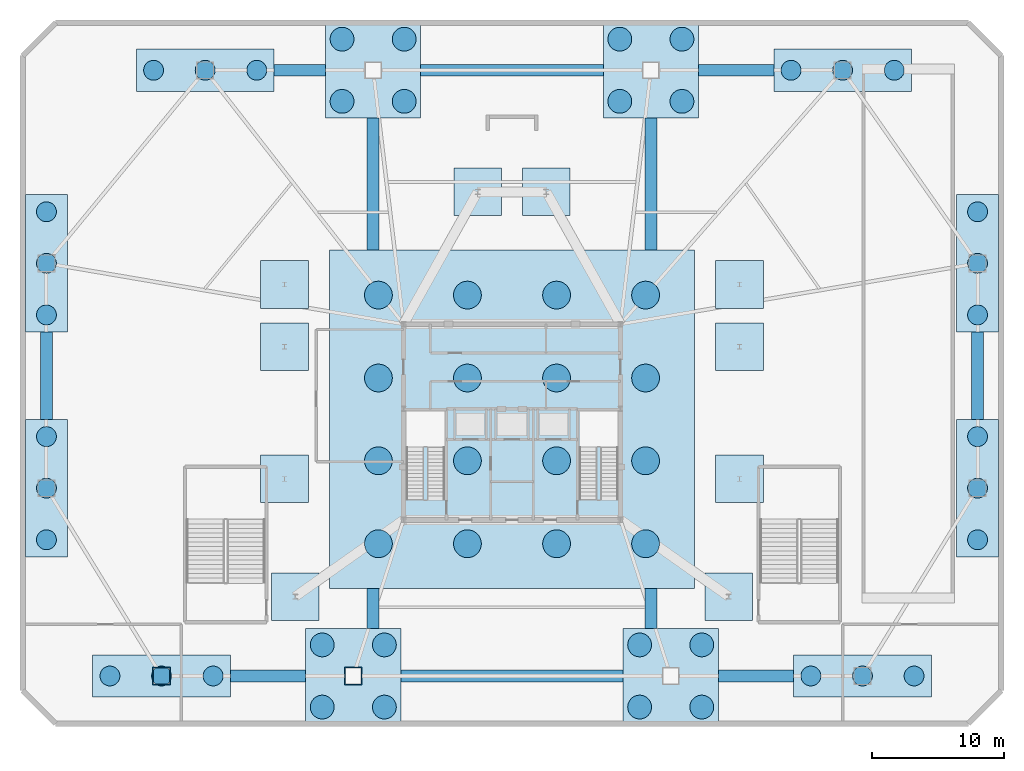
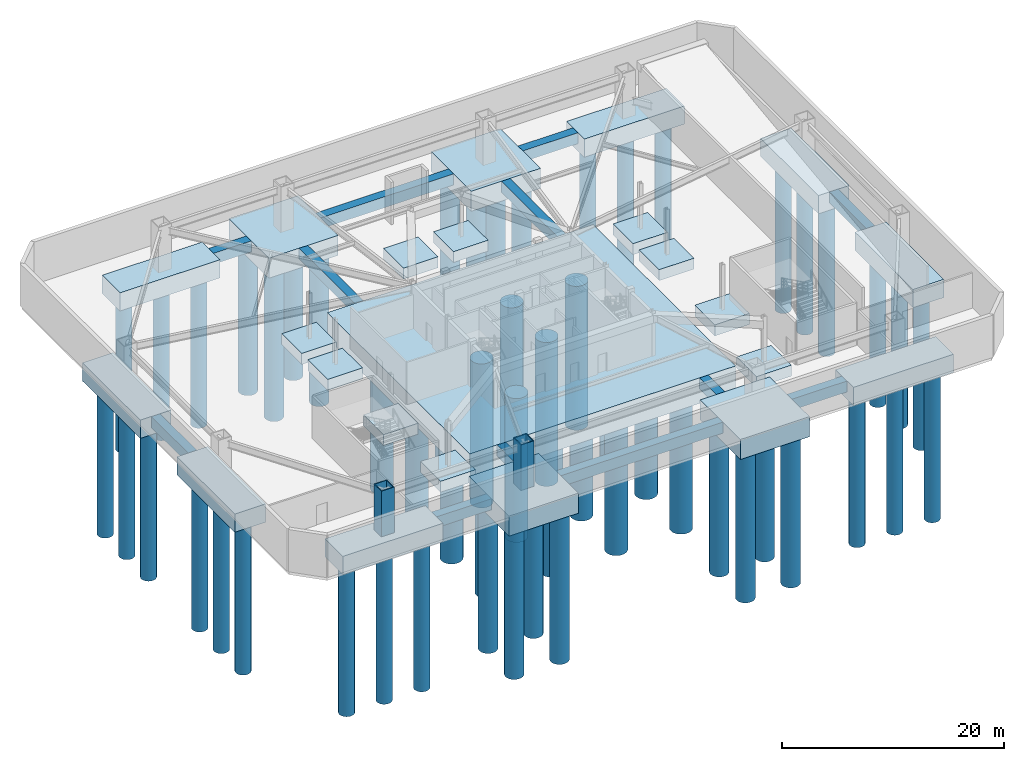
# One storey, part 1 of 12: 56 piles, 35 footings, 2 columns.
"""IFC4 building model written with IfcOpenShell, lengths in metres."""

from ifc_helpers import new_model, si_unit, direction, frame, origin, origin_2d, place, context, subcontext, project, spatial, polyline, hollow_rectangle, circle, outline, extrude, material, layer, layer_set, material_profile, profile_set, type_object, element, save


model = new_model("IFC4")

# Units and contexts
model_context = context("Model", 3, precision=1e-05, world=origin(), true_north=direction((0.0, 1.0)))
body_context = subcontext(model_context, "Body", "Model", "MODEL_VIEW")
ifc_project = project(units=[si_unit("LENGTHUNIT", "METRE"), si_unit("AREAUNIT", "SQUARE_METRE"), si_unit("VOLUMEUNIT", "CUBIC_METRE"), si_unit("PLANEANGLEUNIT", "RADIAN"), si_unit("MASSUNIT", "GRAM", prefix="KILO")], contexts=[model_context])

# Site, building, storey
site_placement = place(None, origin())
site = spatial("IfcSite", under=ifc_project, at=site_placement, CompositionType="ELEMENT")
building_placement = place(site_placement, origin())
building = spatial("IfcBuilding", under=site, at=building_placement, Name="Varakhsha Concourse Tower", CompositionType="ELEMENT")
storey_placement = place(building_placement, frame((0.0, 0.0, -10.0)))
storey = spatial("IfcBuildingStorey", under=building, at=storey_placement, Name="B02", CompositionType="ELEMENT", Elevation=-10.0)

# Footings
ifc_material_1 = material(Name="Concrete fc 65 MPa", Category="concrete")
ifc_layer_1 = layer(ifc_material_1, 2.0, Name="FT-CAP-10400X3200")
ifc_layer_set_1 = layer_set([ifc_layer_1], Name="Concrete fc 65 MPa")
footing_type_1 = type_object("IfcFootingType", Name="FT-CAP-10400X3200", PredefinedType="PILE_CAP", material=ifc_layer_set_1)
footing_1_placement = place(storey_placement, frame((0.0, 0.0, -2.0)))
element("IfcFooting", 1, at=footing_1_placement, inside=storey, type_object=footing_type_1, Name="Perimeter Stilt Pile Cap PC-S1", PredefinedType="PILE_CAP", context=body_context, shape_type="SweptSolid", body=[
    extrude(outline(polyline([(8.300048828125, 3.0), (18.699951171875, 3.0), (18.699951171875, 6.199951171875), (8.300048828125, 6.199951171875), (8.300048828125, 3.0)])), origin(), (0.0, 0.0, 1.0), 2.0),
])
footing_2_placement = place(storey_placement, frame((0.0, 0.0, -2.0)))
element("IfcFooting", 2, at=footing_2_placement, inside=storey, type_object=footing_type_1, Name="Perimeter Stilt Pile Cap PC-S4", PredefinedType="PILE_CAP", context=body_context, shape_type="SweptSolid", body=[
    extrude(outline(polyline([(61.300048828125, 3.0), (71.699951171875, 3.0), (71.699951171875, 6.199951171875), (61.300048828125, 6.199951171875), (61.300048828125, 3.0)])), origin(), (0.0, 0.0, 1.0), 2.0),
])
footing_3_placement = place(storey_placement, frame((0.0, 0.0, -2.0)))
element("IfcFooting", 3, at=footing_3_placement, inside=storey, type_object=footing_type_1, Name="Perimeter Stilt Pile Cap PC-N1", PredefinedType="PILE_CAP", context=body_context, shape_type="SweptSolid", body=[
    extrude(outline(polyline([(11.60009765625, 48.800048828125), (22.0, 48.800048828125), (22.0, 52.0), (11.60009765625, 52.0), (11.60009765625, 48.800048828125)])), origin(), (0.0, 0.0, 1.0), 2.0),
])
footing_4_placement = place(storey_placement, frame((0.0, 0.0, -2.0)))
element("IfcFooting", 4, at=footing_4_placement, inside=storey, type_object=footing_type_1, Name="Perimeter Stilt Pile Cap PC-N4", PredefinedType="PILE_CAP", context=body_context, shape_type="SweptSolid", body=[
    extrude(outline(polyline([(59.800048828125, 48.800048828125), (70.199951171875, 48.800048828125), (70.199951171875, 52.0), (59.800048828125, 52.0), (59.800048828125, 48.800048828125)])), origin(), (0.0, 0.0, 1.0), 2.0),
])
ifc_layer_2 = layer(ifc_material_1, 2.0, Name="FT-CAP-3200X10400")
ifc_layer_set_2 = layer_set([ifc_layer_2], Name="Concrete fc 65 MPa")
footing_type_2 = type_object("IfcFootingType", Name="FT-CAP-3200X10400", PredefinedType="PILE_CAP", material=ifc_layer_set_2)
footing_5_placement = place(storey_placement, frame((0.0, 0.0, -2.0)))
element("IfcFooting", 5, at=footing_5_placement, inside=storey, type_object=footing_type_2, Name="Perimeter Stilt Pile Cap PC-W1", PredefinedType="PILE_CAP", context=body_context, shape_type="SweptSolid", body=[
    extrude(outline(polyline([(3.199951171875, 13.60009765625), (6.39990234375, 13.60009765625), (6.39990234375, 24.0), (3.199951171875, 24.0), (3.199951171875, 13.60009765625)])), origin(), (0.0, 0.0, 1.0), 2.0),
])
footing_6_placement = place(storey_placement, frame((0.0, 0.0, -2.0)))
element("IfcFooting", 6, at=footing_6_placement, inside=storey, type_object=footing_type_2, Name="Perimeter Stilt Pile Cap PC-W2", PredefinedType="PILE_CAP", context=body_context, shape_type="SweptSolid", body=[
    extrude(outline(polyline([(3.199951171875, 30.60009765625), (6.39990234375, 30.60009765625), (6.39990234375, 41.0), (3.199951171875, 41.0), (3.199951171875, 30.60009765625)])), origin(), (0.0, 0.0, 1.0), 2.0),
])
footing_7_placement = place(storey_placement, frame((0.0, 0.0, -2.0)))
element("IfcFooting", 7, at=footing_7_placement, inside=storey, type_object=footing_type_2, Name="Perimeter Stilt Pile Cap PC-E1", PredefinedType="PILE_CAP", context=body_context, shape_type="SweptSolid", body=[
    extrude(outline(polyline([(73.60009765625, 13.60009765625), (76.800048828125, 13.60009765625), (76.800048828125, 24.0), (73.60009765625, 24.0), (73.60009765625, 13.60009765625)])), origin(), (0.0, 0.0, 1.0), 2.0),
])
footing_8_placement = place(storey_placement, frame((0.0, 0.0, -2.0)))
element("IfcFooting", 8, at=footing_8_placement, inside=storey, type_object=footing_type_2, Name="Perimeter Stilt Pile Cap PC-E2", PredefinedType="PILE_CAP", context=body_context, shape_type="SweptSolid", body=[
    extrude(outline(polyline([(73.60009765625, 30.60009765625), (76.800048828125, 30.60009765625), (76.800048828125, 41.0), (73.60009765625, 41.0), (73.60009765625, 30.60009765625)])), origin(), (0.0, 0.0, 1.0), 2.0),
])
ifc_layer_3 = layer(ifc_material_1, 2.199951171875, Name="FT-CAP-7200")
ifc_layer_set_3 = layer_set([ifc_layer_3], Name="Concrete fc 65 MPa")
footing_type_3 = type_object("IfcFootingType", Name="FT-CAP-7200", PredefinedType="PILE_CAP", material=ifc_layer_set_3)
footing_9_placement = place(storey_placement, frame((0.0, 0.0, -2.199951171875)))
element("IfcFooting", 9, at=footing_9_placement, inside=storey, type_object=footing_type_3, Name="Perimeter Stilt Pile Cap PC-S2", PredefinedType="PILE_CAP", context=body_context, shape_type="SweptSolid", body=[
    extrude(outline(polyline([(24.39990234375, 1.0), (31.60009765625, 1.0), (31.60009765625, 8.199951171875), (24.39990234375, 8.199951171875), (24.39990234375, 1.0)])), origin(), (0.0, 0.0, 1.0), 2.199951171875),
])
footing_10_placement = place(storey_placement, frame((0.0, 0.0, -2.199951171875)))
element("IfcFooting", 10, at=footing_10_placement, inside=storey, type_object=footing_type_3, Name="Perimeter Stilt Pile Cap PC-S3", PredefinedType="PILE_CAP", context=body_context, shape_type="SweptSolid", body=[
    extrude(outline(polyline([(48.39990234375, 1.0), (55.60009765625, 1.0), (55.60009765625, 8.199951171875), (48.39990234375, 8.199951171875), (48.39990234375, 1.0)])), origin(), (0.0, 0.0, 1.0), 2.199951171875),
])
footing_11_placement = place(storey_placement, frame((0.0, 0.0, -2.199951171875)))
element("IfcFooting", 11, at=footing_11_placement, inside=storey, type_object=footing_type_3, Name="Perimeter Stilt Pile Cap PC-N2", PredefinedType="PILE_CAP", context=body_context, shape_type="SweptSolid", body=[
    extrude(outline(polyline([(25.89990234375, 46.800048828125), (33.10009765625, 46.800048828125), (33.10009765625, 54.0), (25.89990234375, 54.0), (25.89990234375, 46.800048828125)])), origin(), (0.0, 0.0, 1.0), 2.199951171875),
])
footing_12_placement = place(storey_placement, frame((0.0, 0.0, -2.199951171875)))
element("IfcFooting", 12, at=footing_12_placement, inside=storey, type_object=footing_type_3, Name="Perimeter Stilt Pile Cap PC-N3", PredefinedType="PILE_CAP", context=body_context, shape_type="SweptSolid", body=[
    extrude(outline(polyline([(46.89990234375, 46.800048828125), (54.10009765625, 46.800048828125), (54.10009765625, 54.0), (46.89990234375, 54.0), (46.89990234375, 46.800048828125)])), origin(), (0.0, 0.0, 1.0), 2.199951171875),
])
ifc_layer_4 = layer(ifc_material_1, 1.199951171875, Name="FT-GB-900X1200")
ifc_layer_set_4 = layer_set([ifc_layer_4], Name="Concrete fc 65 MPa")
footing_type_4 = type_object("IfcFootingType", Name="FT-GB-900X1200", PredefinedType="FOOTING_BEAM", material=ifc_layer_set_4)
footing_13_placement = place(storey_placement, frame((0.0, 0.0, -1.199951171875)))
element("IfcFooting", 13, at=footing_13_placement, inside=storey, type_object=footing_type_4, Name="Continuous Tie Grade Beam GB-S12", PredefinedType="FOOTING_BEAM", context=body_context, shape_type="SweptSolid", body=[
    extrude(outline(polyline([(18.699951171875, 4.14990234375), (24.39990234375, 4.14990234375), (24.39990234375, 5.050048828125), (18.699951171875, 5.050048828125), (18.699951171875, 4.14990234375)])), origin(), (0.0, 0.0, 1.0), 1.199951171875),
])
footing_14_placement = place(storey_placement, frame((0.0, 0.0, -1.199951171875)))
element("IfcFooting", 14, at=footing_14_placement, inside=storey, type_object=footing_type_4, Name="Continuous Tie Grade Beam GB-S23", PredefinedType="FOOTING_BEAM", context=body_context, shape_type="SweptSolid", body=[
    extrude(outline(polyline([(31.60009765625, 4.14990234375), (48.39990234375, 4.14990234375), (48.39990234375, 5.050048828125), (31.60009765625, 5.050048828125), (31.60009765625, 4.14990234375)])), origin(), (0.0, 0.0, 1.0), 1.199951171875),
])
footing_15_placement = place(storey_placement, frame((0.0, 0.0, -1.199951171875)))
element("IfcFooting", 15, at=footing_15_placement, inside=storey, type_object=footing_type_4, Name="Continuous Tie Grade Beam GB-S34", PredefinedType="FOOTING_BEAM", context=body_context, shape_type="SweptSolid", body=[
    extrude(outline(polyline([(55.60009765625, 4.14990234375), (61.300048828125, 4.14990234375), (61.300048828125, 5.050048828125), (55.60009765625, 5.050048828125), (55.60009765625, 4.14990234375)])), origin(), (0.0, 0.0, 1.0), 1.199951171875),
])
footing_16_placement = place(storey_placement, frame((0.0, 0.0, -1.199951171875)))
element("IfcFooting", 16, at=footing_16_placement, inside=storey, type_object=footing_type_4, Name="Continuous Tie Grade Beam GB-N12", PredefinedType="FOOTING_BEAM", context=body_context, shape_type="SweptSolid", body=[
    extrude(outline(polyline([(22.0, 49.949951171875), (25.89990234375, 49.949951171875), (25.89990234375, 50.85009765625), (22.0, 50.85009765625), (22.0, 49.949951171875)])), origin(), (0.0, 0.0, 1.0), 1.199951171875),
])
footing_17_placement = place(storey_placement, frame((0.0, 0.0, -1.199951171875)))
element("IfcFooting", 17, at=footing_17_placement, inside=storey, type_object=footing_type_4, Name="Continuous Tie Grade Beam GB-N23", PredefinedType="FOOTING_BEAM", context=body_context, shape_type="SweptSolid", body=[
    extrude(outline(polyline([(33.10009765625, 49.949951171875), (46.89990234375, 49.949951171875), (46.89990234375, 50.85009765625), (33.10009765625, 50.85009765625), (33.10009765625, 49.949951171875)])), origin(), (0.0, 0.0, 1.0), 1.199951171875),
])
footing_18_placement = place(storey_placement, frame((0.0, 0.0, -1.199951171875)))
element("IfcFooting", 18, at=footing_18_placement, inside=storey, type_object=footing_type_4, Name="Continuous Tie Grade Beam GB-N34", PredefinedType="FOOTING_BEAM", context=body_context, shape_type="SweptSolid", body=[
    extrude(outline(polyline([(54.10009765625, 49.949951171875), (59.800048828125, 49.949951171875), (59.800048828125, 50.85009765625), (54.10009765625, 50.85009765625), (54.10009765625, 49.949951171875)])), origin(), (0.0, 0.0, 1.0), 1.199951171875),
])
footing_19_placement = place(storey_placement, frame((0.0, 0.0, -1.199951171875)))
element("IfcFooting", 19, at=footing_19_placement, inside=storey, type_object=footing_type_4, Name="Continuous Tie Grade Beam GB-W12", PredefinedType="FOOTING_BEAM", context=body_context, shape_type="SweptSolid", body=[
    extrude(outline(polyline([(4.35009765625, 24.0), (5.25, 24.0), (5.25, 30.60009765625), (4.35009765625, 30.60009765625), (4.35009765625, 24.0)])), origin(), (0.0, 0.0, 1.0), 1.199951171875),
])
footing_20_placement = place(storey_placement, frame((0.0, 0.0, -1.199951171875)))
element("IfcFooting", 20, at=footing_20_placement, inside=storey, type_object=footing_type_4, Name="Continuous Tie Grade Beam GB-E12", PredefinedType="FOOTING_BEAM", context=body_context, shape_type="SweptSolid", body=[
    extrude(outline(polyline([(74.75, 24.0), (75.64990234375, 24.0), (75.64990234375, 30.60009765625), (74.75, 30.60009765625), (74.75, 24.0)])), origin(), (0.0, 0.0, 1.0), 1.199951171875),
])
footing_21_placement = place(storey_placement, frame((0.0, 0.0, -1.199951171875)))
element("IfcFooting", 21, at=footing_21_placement, inside=storey, type_object=footing_type_4, Name="Continuous Tie Grade Beam GB-S2R", PredefinedType="FOOTING_BEAM", context=body_context, shape_type="SweptSolid", body=[
    extrude(outline(polyline([(29.050048828125, 8.199951171875), (29.949951171875, 8.199951171875), (29.949951171875, 11.199951171875), (29.050048828125, 11.199951171875), (29.050048828125, 8.199951171875)])), origin(), (0.0, 0.0, 1.0), 1.199951171875),
])
footing_22_placement = place(storey_placement, frame((0.0, 0.0, -1.199951171875)))
element("IfcFooting", 22, at=footing_22_placement, inside=storey, type_object=footing_type_4, Name="Continuous Tie Grade Beam GB-S3R", PredefinedType="FOOTING_BEAM", context=body_context, shape_type="SweptSolid", body=[
    extrude(outline(polyline([(50.050048828125, 8.199951171875), (50.949951171875, 8.199951171875), (50.949951171875, 11.199951171875), (50.050048828125, 11.199951171875), (50.050048828125, 8.199951171875)])), origin(), (0.0, 0.0, 1.0), 1.199951171875),
])
footing_23_placement = place(storey_placement, frame((0.0, 0.0, -1.199951171875)))
element("IfcFooting", 23, at=footing_23_placement, inside=storey, type_object=footing_type_4, Name="Continuous Tie Grade Beam GB-N2R", PredefinedType="FOOTING_BEAM", context=body_context, shape_type="SweptSolid", body=[
    extrude(outline(polyline([(29.050048828125, 36.800048828125), (29.949951171875, 36.800048828125), (29.949951171875, 46.800048828125), (29.050048828125, 46.800048828125), (29.050048828125, 36.800048828125)])), origin(), (0.0, 0.0, 1.0), 1.199951171875),
])
footing_24_placement = place(storey_placement, frame((0.0, 0.0, -1.199951171875)))
element("IfcFooting", 24, at=footing_24_placement, inside=storey, type_object=footing_type_4, Name="Continuous Tie Grade Beam GB-N3R", PredefinedType="FOOTING_BEAM", context=body_context, shape_type="SweptSolid", body=[
    extrude(outline(polyline([(50.050048828125, 36.800048828125), (50.949951171875, 36.800048828125), (50.949951171875, 46.800048828125), (50.050048828125, 46.800048828125), (50.050048828125, 36.800048828125)])), origin(), (0.0, 0.0, 1.0), 1.199951171875),
])
ifc_layer_5 = layer(ifc_material_1, 1.199951171875, Name="FT-PAD-3600")
ifc_layer_set_5 = layer_set([ifc_layer_5], Name="Concrete fc 65 MPa")
footing_type_5 = type_object("IfcFootingType", Name="FT-PAD-3600", PredefinedType="PAD_FOOTING", material=ifc_layer_set_5)
footing_25_placement = place(storey_placement, frame((0.0, 0.0, -1.199951171875)))
element("IfcFooting", 25, at=footing_25_placement, inside=storey, type_object=footing_type_5, Name="Basement Pad Footing AUX-W1", PredefinedType="PAD_FOOTING", context=body_context, shape_type="SweptSolid", body=[
    extrude(outline(polyline([(21.0, 17.699951171875), (24.60009765625, 17.699951171875), (24.60009765625, 21.300048828125), (21.0, 21.300048828125), (21.0, 17.699951171875)])), origin(), (0.0, 0.0, 1.0), 1.199951171875),
])
footing_26_placement = place(storey_placement, frame((0.0, 0.0, -1.199951171875)))
element("IfcFooting", 26, at=footing_26_placement, inside=storey, type_object=footing_type_5, Name="Basement Pad Footing AUX-W2", PredefinedType="PAD_FOOTING", context=body_context, shape_type="SweptSolid", body=[
    extrude(outline(polyline([(21.0, 27.699951171875), (24.60009765625, 27.699951171875), (24.60009765625, 31.300048828125), (21.0, 31.300048828125), (21.0, 27.699951171875)])), origin(), (0.0, 0.0, 1.0), 1.199951171875),
])
footing_27_placement = place(storey_placement, frame((0.0, 0.0, -1.199951171875)))
element("IfcFooting", 27, at=footing_27_placement, inside=storey, type_object=footing_type_5, Name="Basement Pad Footing AUX-E1", PredefinedType="PAD_FOOTING", context=body_context, shape_type="SweptSolid", body=[
    extrude(outline(polyline([(55.39990234375, 17.699951171875), (59.0, 17.699951171875), (59.0, 21.300048828125), (55.39990234375, 21.300048828125), (55.39990234375, 17.699951171875)])), origin(), (0.0, 0.0, 1.0), 1.199951171875),
])
footing_28_placement = place(storey_placement, frame((0.0, 0.0, -1.199951171875)))
element("IfcFooting", 28, at=footing_28_placement, inside=storey, type_object=footing_type_5, Name="Basement Pad Footing AUX-E2", PredefinedType="PAD_FOOTING", context=body_context, shape_type="SweptSolid", body=[
    extrude(outline(polyline([(55.39990234375, 27.699951171875), (59.0, 27.699951171875), (59.0, 31.300048828125), (55.39990234375, 31.300048828125), (55.39990234375, 27.699951171875)])), origin(), (0.0, 0.0, 1.0), 1.199951171875),
])
footing_29_placement = place(storey_placement, frame((0.0, 0.0, -1.199951171875)))
element("IfcFooting", 29, at=footing_29_placement, inside=storey, type_object=footing_type_5, Name="Basement Pad Footing AUX-S1", PredefinedType="PAD_FOOTING", context=body_context, shape_type="SweptSolid", body=[
    extrude(outline(polyline([(21.0, 32.39990234375), (24.60009765625, 32.39990234375), (24.60009765625, 36.0), (21.0, 36.0), (21.0, 32.39990234375)])), origin(), (0.0, 0.0, 1.0), 1.199951171875),
])
footing_30_placement = place(storey_placement, frame((0.0, 0.0, -1.199951171875)))
element("IfcFooting", 30, at=footing_30_placement, inside=storey, type_object=footing_type_5, Name="Basement Pad Footing AUX-E3", PredefinedType="PAD_FOOTING", context=body_context, shape_type="SweptSolid", body=[
    extrude(outline(polyline([(55.39990234375, 32.39990234375), (59.0, 32.39990234375), (59.0, 36.0), (55.39990234375, 36.0), (55.39990234375, 32.39990234375)])), origin(), (0.0, 0.0, 1.0), 1.199951171875),
])
footing_31_placement = place(storey_placement, frame((0.0, 0.0, -1.199951171875)))
element("IfcFooting", 31, at=footing_31_placement, inside=storey, type_object=footing_type_5, Name="Basement Pad Footing NS-W", PredefinedType="PAD_FOOTING", context=body_context, shape_type="SweptSolid", body=[
    extrude(outline(polyline([(35.60009765625, 39.39990234375), (39.199951171875, 39.39990234375), (39.199951171875, 43.0), (35.60009765625, 43.0), (35.60009765625, 39.39990234375)])), origin(), (0.0, 0.0, 1.0), 1.199951171875),
])
footing_32_placement = place(storey_placement, frame((0.0, 0.0, -1.199951171875)))
element("IfcFooting", 32, at=footing_32_placement, inside=storey, type_object=footing_type_5, Name="Basement Pad Footing NS-E", PredefinedType="PAD_FOOTING", context=body_context, shape_type="SweptSolid", body=[
    extrude(outline(polyline([(40.800048828125, 39.39990234375), (44.39990234375, 39.39990234375), (44.39990234375, 43.0), (40.800048828125, 43.0), (40.800048828125, 39.39990234375)])), origin(), (0.0, 0.0, 1.0), 1.199951171875),
])
footing_33_placement = place(storey_placement, frame((0.0, 0.0, -1.199951171875)))
element("IfcFooting", 33, at=footing_33_placement, inside=storey, type_object=footing_type_5, Name="Basement Pad Footing SS-W", PredefinedType="PAD_FOOTING", context=body_context, shape_type="SweptSolid", body=[
    extrude(outline(polyline([(21.800048828125, 8.800048828125), (25.39990234375, 8.800048828125), (25.39990234375, 12.39990234375), (21.800048828125, 12.39990234375), (21.800048828125, 8.800048828125)])), origin(), (0.0, 0.0, 1.0), 1.199951171875),
])
footing_34_placement = place(storey_placement, frame((0.0, 0.0, -1.199951171875)))
element("IfcFooting", 34, at=footing_34_placement, inside=storey, type_object=footing_type_5, Name="Basement Pad Footing SS-E", PredefinedType="PAD_FOOTING", context=body_context, shape_type="SweptSolid", body=[
    extrude(outline(polyline([(54.60009765625, 8.800048828125), (58.199951171875, 8.800048828125), (58.199951171875, 12.39990234375), (54.60009765625, 12.39990234375), (54.60009765625, 8.800048828125)])), origin(), (0.0, 0.0, 1.0), 1.199951171875),
])
ifc_layer_6 = layer(ifc_material_1, 2.800048828125, Name="FT-RAFT-2800")
ifc_layer_set_6 = layer_set([ifc_layer_6], Name="Concrete fc 65 MPa")
footing_type_6 = type_object("IfcFootingType", Name="FT-RAFT-2800", PredefinedType="PILE_CAP", material=ifc_layer_set_6)
footing_35_placement = place(storey_placement, frame((0.0, 0.0, -2.800048828125)))
element("IfcFooting", 35, at=footing_35_placement, inside=storey, type_object=footing_type_6, Name="Central Core Mat Pile Cap", PredefinedType="PILE_CAP", context=body_context, shape_type="SweptSolid", body=[
    extrude(outline(polyline([(26.199951171875, 11.199951171875), (53.800048828125, 11.199951171875), (53.800048828125, 36.800048828125), (26.199951171875, 36.800048828125), (26.199951171875, 11.199951171875)])), origin(), (0.0, 0.0, 1.0), 2.800048828125),
])

# Piles
ifc_material_profile_1 = material_profile(ifc_material_1, circle(Radius=0.75, at=origin_2d()), Name="CAISSON D1500")
ifc_profile_set_1 = profile_set([ifc_material_profile_1], Name="Concrete fc 65 MPa")
pile_type_1 = type_object("IfcPileType", Name="PL-CAISSON-1500", PredefinedType="BORED", material=ifc_profile_set_1)
for number, where, z_axis, x_axis, name in (
    (36, (9.60009765625, 4.60009765625, -1.89990234375), (0.0, 0.0, -1.0), (1.0, 0.0, 0.0), "Bored Rock-Socketed Caisson PILE-CA3-01"),
    (37, (13.5, 4.60009765625, -1.89990234375), (0.0, 0.0, -1.0), (1.0, 0.0, 0.0), "Bored Rock-Socketed Caisson PILE-CA3-02"),
    (38, (17.39990234375, 4.60009765625, -1.89990234375), (0.0, 0.0, -1.0), (1.0, 0.0, 0.0), "Bored Rock-Socketed Caisson PILE-CA3-03"),
    (39, (62.60009765625, 4.60009765625, -1.89990234375), (0.0, 0.0, -1.0), (1.0, 0.0, 0.0), "Bored Rock-Socketed Caisson PILE-CA3-04"),
    (40, (66.5, 4.60009765625, -1.89990234375), (0.0, 0.0, -1.0), (1.0, 0.0, 0.0), "Bored Rock-Socketed Caisson PILE-CA3-05"),
    (41, (70.39990234375, 4.60009765625, -1.89990234375), (0.0, 0.0, -1.0), (1.0, 0.0, 0.0), "Bored Rock-Socketed Caisson PILE-CA3-06"),
    (42, (4.800048828125, 14.89990234375, -1.89990234375), (0.0, 0.0, -1.0), (1.0, 0.0, 0.0), "Bored Rock-Socketed Caisson PILE-CA3-07"),
    (43, (4.800048828125, 18.800048828125, -1.89990234375), (0.0, 0.0, -1.0), (1.0, 0.0, 0.0), "Bored Rock-Socketed Caisson PILE-CA3-08"),
    (44, (4.800048828125, 22.699951171875, -1.89990234375), (0.0, 0.0, -1.0), (1.0, 0.0, 0.0), "Bored Rock-Socketed Caisson PILE-CA3-09"),
    (45, (4.800048828125, 31.89990234375, -1.89990234375), (0.0, 0.0, -1.0), (1.0, 0.0, 0.0), "Bored Rock-Socketed Caisson PILE-CA3-10"),
    (46, (4.800048828125, 35.800048828125, -1.89990234375), (0.0, 0.0, -1.0), (1.0, 0.0, 0.0), "Bored Rock-Socketed Caisson PILE-CA3-11"),
    (47, (4.800048828125, 39.699951171875, -1.89990234375), (0.0, 0.0, -1.0), (1.0, 0.0, 0.0), "Bored Rock-Socketed Caisson PILE-CA3-12"),
    (48, (75.199951171875, 14.89990234375, -1.89990234375), (0.0, 0.0, -1.0), (1.0, 0.0, 0.0), "Bored Rock-Socketed Caisson PILE-CA3-13"),
    (49, (75.199951171875, 18.800048828125, -1.89990234375), (0.0, 0.0, -1.0), (1.0, 0.0, 0.0), "Bored Rock-Socketed Caisson PILE-CA3-14"),
    (50, (75.199951171875, 22.699951171875, -1.89990234375), (0.0, 0.0, -1.0), (1.0, 0.0, 0.0), "Bored Rock-Socketed Caisson PILE-CA3-15"),
    (51, (75.199951171875, 31.89990234375, -1.89990234375), (0.0, 0.0, -1.0), (1.0, 0.0, 0.0), "Bored Rock-Socketed Caisson PILE-CA3-16"),
    (52, (75.199951171875, 35.800048828125, -1.89990234375), (0.0, 0.0, -1.0), (1.0, 0.0, 0.0), "Bored Rock-Socketed Caisson PILE-CA3-17"),
    (53, (75.199951171875, 39.699951171875, -1.89990234375), (0.0, 0.0, -1.0), (1.0, 0.0, 0.0), "Bored Rock-Socketed Caisson PILE-CA3-18"),
    (54, (12.89990234375, 50.39990234375, -1.89990234375), (0.0, 0.0, -1.0), (1.0, 0.0, 0.0), "Bored Rock-Socketed Caisson PILE-CA3-19"),
    (55, (16.800048828125, 50.39990234375, -1.89990234375), (0.0, 0.0, -1.0), (1.0, 0.0, 0.0), "Bored Rock-Socketed Caisson PILE-CA3-20"),
    (56, (20.699951171875, 50.39990234375, -1.89990234375), (0.0, 0.0, -1.0), (1.0, 0.0, 0.0), "Bored Rock-Socketed Caisson PILE-CA3-21"),
    (57, (61.10009765625, 50.39990234375, -1.89990234375), (0.0, 0.0, -1.0), (1.0, 0.0, 0.0), "Bored Rock-Socketed Caisson PILE-CA3-22"),
    (58, (65.0, 50.39990234375, -1.89990234375), (0.0, 0.0, -1.0), (1.0, 0.0, 0.0), "Bored Rock-Socketed Caisson PILE-CA3-23"),
    (59, (68.89990234375, 50.39990234375, -1.89990234375), (0.0, 0.0, -1.0), (1.0, 0.0, 0.0), "Bored Rock-Socketed Caisson PILE-CA3-24"),
):
    element("IfcPile", number, at=place(storey_placement, frame(where, z_axis=z_axis, x_axis=x_axis)), inside=storey, type_object=pile_type_1, Name=name, PredefinedType="BORED", context=body_context, shape_type="SweptSolid", body=[
        extrude(circle(Radius=0.75, at=origin_2d()), origin(), (0.0, 0.0, 1.0), 16.60009765625),
    ])
ifc_material_profile_2 = material_profile(ifc_material_1, circle(Radius=0.89990234375, at=origin_2d()), Name="CAISSON D1800")
ifc_profile_set_2 = profile_set([ifc_material_profile_2], Name="Concrete fc 65 MPa")
pile_type_2 = type_object("IfcPileType", Name="PL-CAISSON-1800", PredefinedType="BORED", material=ifc_profile_set_2)
for number, where, z_axis, x_axis, name in (
    (60, (25.64990234375, 2.25, -2.10009765625), (0.0, 0.0, -1.0), (1.0, 0.0, 0.0), "Bored Rock-Socketed Caisson PILE-CA2-01"),
    (61, (30.35009765625, 2.25, -2.10009765625), (0.0, 0.0, -1.0), (1.0, 0.0, 0.0), "Bored Rock-Socketed Caisson PILE-CA2-02"),
    (62, (25.64990234375, 6.949951171875, -2.10009765625), (0.0, 0.0, -1.0), (1.0, 0.0, 0.0), "Bored Rock-Socketed Caisson PILE-CA2-03"),
    (63, (30.35009765625, 6.949951171875, -2.10009765625), (0.0, 0.0, -1.0), (1.0, 0.0, 0.0), "Bored Rock-Socketed Caisson PILE-CA2-04"),
    (64, (49.64990234375, 2.25, -2.10009765625), (0.0, 0.0, -1.0), (1.0, 0.0, 0.0), "Bored Rock-Socketed Caisson PILE-CA2-05"),
    (65, (54.35009765625, 2.25, -2.10009765625), (0.0, 0.0, -1.0), (1.0, 0.0, 0.0), "Bored Rock-Socketed Caisson PILE-CA2-06"),
    (66, (49.64990234375, 6.949951171875, -2.10009765625), (0.0, 0.0, -1.0), (1.0, 0.0, 0.0), "Bored Rock-Socketed Caisson PILE-CA2-07"),
    (67, (54.35009765625, 6.949951171875, -2.10009765625), (0.0, 0.0, -1.0), (1.0, 0.0, 0.0), "Bored Rock-Socketed Caisson PILE-CA2-08"),
    (68, (27.14990234375, 48.050048828125, -2.10009765625), (0.0, 0.0, -1.0), (1.0, 0.0, 0.0), "Bored Rock-Socketed Caisson PILE-CA2-09"),
    (69, (31.85009765625, 48.050048828125, -2.10009765625), (0.0, 0.0, -1.0), (1.0, 0.0, 0.0), "Bored Rock-Socketed Caisson PILE-CA2-10"),
    (70, (27.14990234375, 52.75, -2.10009765625), (0.0, 0.0, -1.0), (1.0, 0.0, 0.0), "Bored Rock-Socketed Caisson PILE-CA2-11"),
    (71, (31.85009765625, 52.75, -2.10009765625), (0.0, 0.0, -1.0), (1.0, 0.0, 0.0), "Bored Rock-Socketed Caisson PILE-CA2-12"),
    (72, (48.14990234375, 48.050048828125, -2.10009765625), (0.0, 0.0, -1.0), (1.0, 0.0, 0.0), "Bored Rock-Socketed Caisson PILE-CA2-13"),
    (73, (52.85009765625, 48.050048828125, -2.10009765625), (0.0, 0.0, -1.0), (1.0, 0.0, 0.0), "Bored Rock-Socketed Caisson PILE-CA2-14"),
    (74, (48.14990234375, 52.75, -2.10009765625), (0.0, 0.0, -1.0), (1.0, 0.0, 0.0), "Bored Rock-Socketed Caisson PILE-CA2-15"),
    (75, (52.85009765625, 52.75, -2.10009765625), (0.0, 0.0, -1.0), (1.0, 0.0, 0.0), "Bored Rock-Socketed Caisson PILE-CA2-16"),
):
    element("IfcPile", number, at=place(storey_placement, frame(where, z_axis=z_axis, x_axis=x_axis)), inside=storey, type_object=pile_type_2, Name=name, PredefinedType="BORED", context=body_context, shape_type="SweptSolid", body=[
        extrude(circle(Radius=0.89990234375, at=origin_2d()), origin(), (0.0, 0.0, 1.0), 16.39990234375),
    ])
ifc_material_profile_3 = material_profile(ifc_material_1, circle(Radius=1.050048828125, at=origin_2d()), Name="CAISSON D2100")
ifc_profile_set_3 = profile_set([ifc_material_profile_3], Name="Concrete fc 65 MPa")
pile_type_3 = type_object("IfcPileType", Name="PL-CAISSON-2100", PredefinedType="BORED", material=ifc_profile_set_3)
for number, where, z_axis, x_axis, name in (
    (76, (29.89990234375, 14.60009765625, -2.699951171875), (0.0, 0.0, -1.0), (1.0, 0.0, 0.0), "Bored Rock-Socketed Caisson PILE-CA1-01"),
    (77, (29.89990234375, 20.8701171875, -2.699951171875), (0.0, 0.0, -1.0), (1.0, 0.0, 0.0), "Bored Rock-Socketed Caisson PILE-CA1-02"),
    (78, (29.89990234375, 27.1298828125, -2.699951171875), (0.0, 0.0, -1.0), (1.0, 0.0, 0.0), "Bored Rock-Socketed Caisson PILE-CA1-03"),
    (79, (29.89990234375, 33.39990234375, -2.699951171875), (0.0, 0.0, -1.0), (1.0, 0.0, 0.0), "Bored Rock-Socketed Caisson PILE-CA1-04"),
    (80, (36.6298828125, 14.60009765625, -2.699951171875), (0.0, 0.0, -1.0), (1.0, 0.0, 0.0), "Bored Rock-Socketed Caisson PILE-CA1-05"),
    (81, (36.6298828125, 20.8701171875, -2.699951171875), (0.0, 0.0, -1.0), (1.0, 0.0, 0.0), "Bored Rock-Socketed Caisson PILE-CA1-06"),
    (82, (36.6298828125, 27.1298828125, -2.699951171875), (0.0, 0.0, -1.0), (1.0, 0.0, 0.0), "Bored Rock-Socketed Caisson PILE-CA1-07"),
    (83, (36.6298828125, 33.39990234375, -2.699951171875), (0.0, 0.0, -1.0), (1.0, 0.0, 0.0), "Bored Rock-Socketed Caisson PILE-CA1-08"),
    (84, (43.3701171875, 14.60009765625, -2.699951171875), (0.0, 0.0, -1.0), (1.0, 0.0, 0.0), "Bored Rock-Socketed Caisson PILE-CA1-09"),
    (85, (43.3701171875, 20.8701171875, -2.699951171875), (0.0, 0.0, -1.0), (1.0, 0.0, 0.0), "Bored Rock-Socketed Caisson PILE-CA1-10"),
    (86, (43.3701171875, 27.1298828125, -2.699951171875), (0.0, 0.0, -1.0), (1.0, 0.0, 0.0), "Bored Rock-Socketed Caisson PILE-CA1-11"),
    (87, (43.3701171875, 33.39990234375, -2.699951171875), (0.0, 0.0, -1.0), (1.0, 0.0, 0.0), "Bored Rock-Socketed Caisson PILE-CA1-12"),
    (88, (50.10009765625, 14.60009765625, -2.699951171875), (0.0, 0.0, -1.0), (1.0, 0.0, 0.0), "Bored Rock-Socketed Caisson PILE-CA1-13"),
    (89, (50.10009765625, 20.8701171875, -2.699951171875), (0.0, 0.0, -1.0), (1.0, 0.0, 0.0), "Bored Rock-Socketed Caisson PILE-CA1-14"),
    (90, (50.10009765625, 27.1298828125, -2.699951171875), (0.0, 0.0, -1.0), (1.0, 0.0, 0.0), "Bored Rock-Socketed Caisson PILE-CA1-15"),
    (91, (50.10009765625, 33.39990234375, -2.699951171875), (0.0, 0.0, -1.0), (1.0, 0.0, 0.0), "Bored Rock-Socketed Caisson PILE-CA1-16"),
):
    element("IfcPile", number, at=place(storey_placement, frame(where, z_axis=z_axis, x_axis=x_axis)), inside=storey, type_object=pile_type_3, Name=name, PredefinedType="BORED", context=body_context, shape_type="SweptSolid", body=[
        extrude(circle(Radius=1.050048828125, at=origin_2d()), origin(), (0.0, 0.0, 1.0), 15.800048828125),
    ])

# Columns
ifc_material_2 = material(Name="Structural Steel ASTM A572 Grade 50", Category="steel")
ifc_material_profile_4 = material_profile(ifc_material_2, hollow_rectangle(XDim=1.35009765625, YDim=1.35009765625, WallThickness=0.0849609375, at=origin_2d()), Name="BOX 1350x1350x85")
ifc_profile_set_4 = profile_set([ifc_material_profile_4], Name="Structural Steel ASTM A572 Grade 50")
column_type = type_object("IfcColumnType", Name="CL-STILT-1350", PredefinedType="COLUMN", material=ifc_profile_set_4)
for number, where, z_axis, x_axis, name in (
    (92, (13.5, 4.60009765625, 0.0), (0.0, 0.0, 1.0), (1.0, 0.0, 0.0), "B02 Podium Mega-Column PC-S1"),
    (93, (28.0, 4.60009765625, 0.0), (0.0, 0.0, 1.0), (1.0, 0.0, 0.0), "B02 Podium Mega-Column PC-S2"),
):
    element("IfcColumn", number, at=place(storey_placement, frame(where, z_axis=z_axis, x_axis=x_axis)), inside=storey, type_object=column_type, Name=name, PredefinedType="COLUMN", context=body_context, shape_type="SweptSolid", body=[
        extrude(hollow_rectangle(XDim=1.35009765625, YDim=1.35009765625, WallThickness=0.0849609375, at=origin_2d()), origin(), (0.0, 0.0, 1.0), 5.0),
    ])

save(model, "model.ifc")
